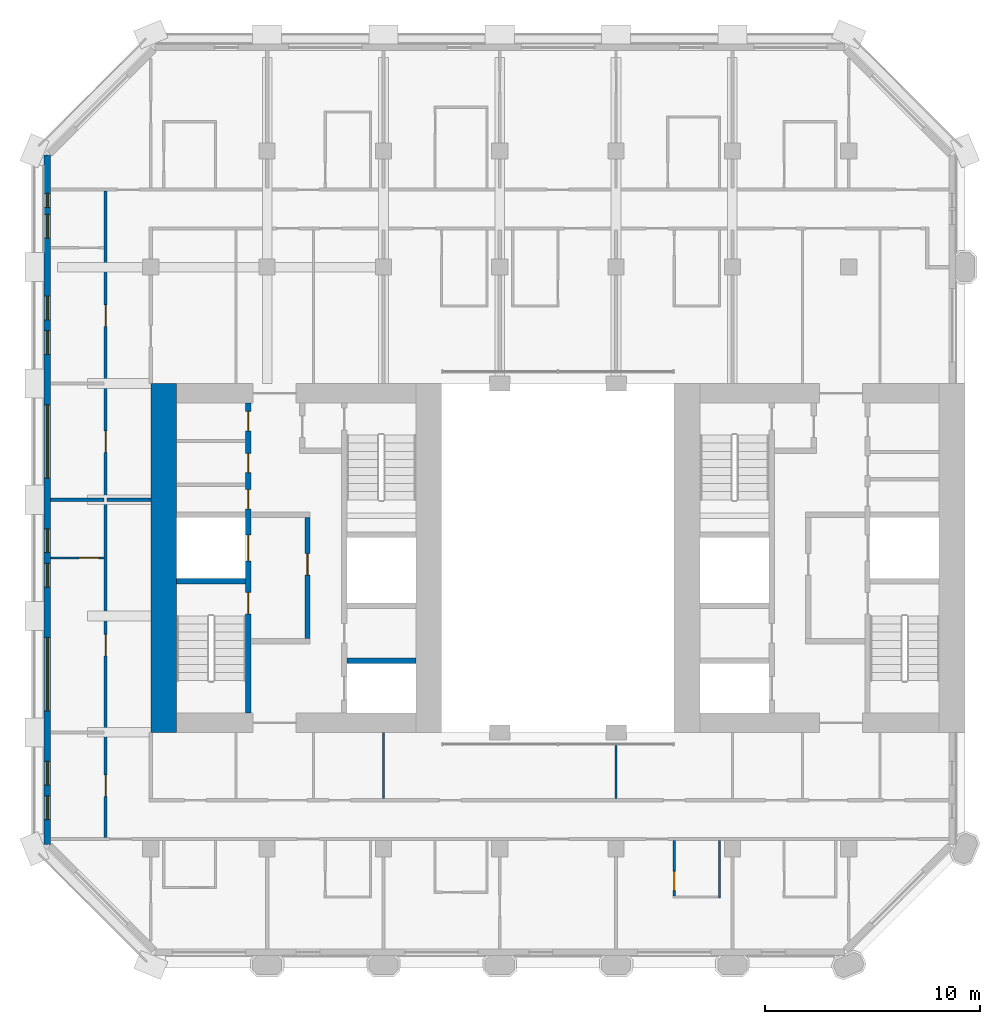
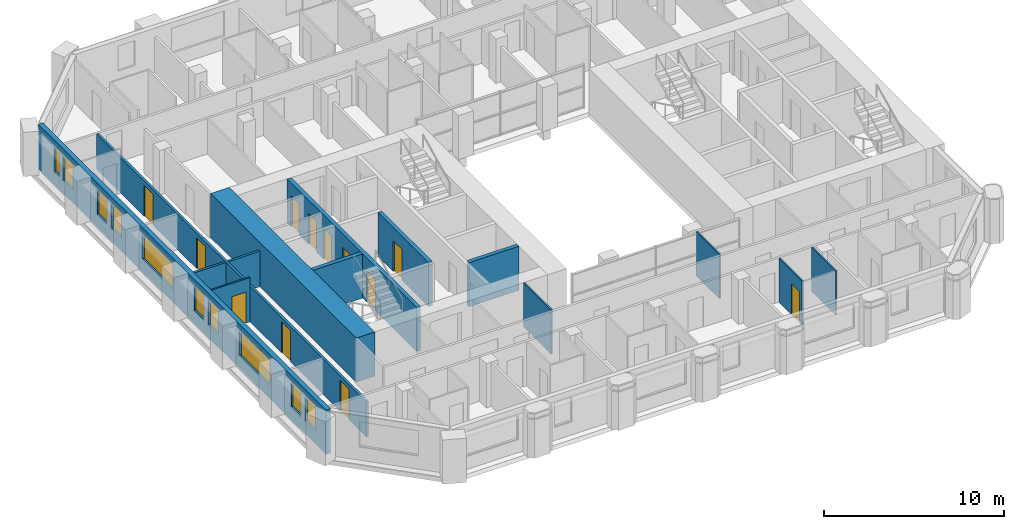
# One storey, part 7 of 13: 14 walls, 12 doors, 10 windows, 22 openings.
"""IFC4 building model written with IfcOpenShell, lengths in metres."""

from ifc_helpers import new_model, si_unit, direction, frame, frame_2d, origin, place, context, subcontext, project, spatial, rectangle, extrude, material, layer, layer_set, type_object, element, fill, save


model = new_model("IFC4")

# Units and contexts
model_context = context("Model", 3, precision=1e-05, world=origin(), true_north=direction((0.0, 1.0)))
body_context = subcontext(model_context, "Body", "Model", "MODEL_VIEW")
ifc_project = project(units=[si_unit("LENGTHUNIT", "METRE"), si_unit("AREAUNIT", "SQUARE_METRE"), si_unit("VOLUMEUNIT", "CUBIC_METRE"), si_unit("PLANEANGLEUNIT", "RADIAN"), si_unit("MASSUNIT", "GRAM", prefix="KILO")], contexts=[model_context])

# Site, building, storey
site_placement = place(None, origin())
site = spatial("IfcSite", under=ifc_project, at=site_placement, CompositionType="ELEMENT")
building_placement = place(site_placement, origin())
building = spatial("IfcBuilding", under=site, at=building_placement, Name="Tabaq Tower and Sports Hall", CompositionType="ELEMENT")
storey_placement = place(building_placement, frame((0.0, 0.0, 220.300048828125)))
storey = spatial("IfcBuildingStorey", under=building, at=storey_placement, Name="L55", CompositionType="ELEMENT", Elevation=220.300048828125)

# Walls
ifc_material_1 = material(Name="Concrete C50/60", Category="concrete")
ifc_layer_1 = layer(ifc_material_1, 1.199951171875)
ifc_layer_set_1 = layer_set([ifc_layer_1], Name="Core wall 1200 Concrete C50/60")
wall_type_1 = type_object("IfcWallType", Name="Core wall 1200 Concrete C50/60", PredefinedType="SOLIDWALL", material=ifc_layer_set_1)
wall_1_placement = place(storey_placement, frame((6.0, 16.199951171875, 0.0), z_axis=(0.0, 0.0, 1.0), x_axis=(0.0, 1.0, 0.0)))
element("IfcWall", 1, at=wall_1_placement, inside=storey, type_object=wall_type_1, Name="Core wall W L55", PredefinedType="SOLIDWALL", context=body_context, shape_type="SweptSolid", body=[
    extrude(rectangle(XDim=16.199951171875, YDim=1.199951171875, at=frame_2d((8.10009765625, 0.0))), origin(), (0.0, 0.0, 1.0), 3.0),
])
ifc_material_2 = material(Name="Gypsum board on steel studs", Category="steel")
ifc_layer_2 = layer(ifc_material_2, 0.10009765625)
ifc_layer_set_2 = layer_set([ifc_layer_2], Name="Partition 100 Gypsum board")
wall_type_2 = type_object("IfcWallType", Name="Partition 100 Gypsum board", PredefinedType="PARTITIONING", material=ifc_layer_set_2)
wall_2_placement = place(storey_placement, frame((31.800048828125, 11.175048828125, 0.0), z_axis=(0.0, 0.0, 1.0), x_axis=(0.0, -1.0, 0.0)))
element("IfcWall", 2, at=wall_2_placement, inside=storey, type_object=wall_type_2, Name="Partition wall L55", PredefinedType="PARTITIONING", context=body_context, shape_type="SweptSolid", body=[
    extrude(rectangle(XDim=2.675048828125, YDim=0.10009765625, at=frame_2d((1.33740234375, 0.0))), origin(), (0.0, 0.0, 1.0), 3.0),
])

# Wall, opening, door
wall_3_placement = place(storey_placement, frame((29.699951171875, 8.60009765625, 0.0), z_axis=(0.0, 0.0, 1.0), x_axis=(0.0, 1.0, 0.0)))
wall_3 = element("IfcWall", 3, at=wall_3_placement, inside=storey, type_object=wall_type_2, Name="Partition wall L55", PredefinedType="PARTITIONING", context=body_context, shape_type="SweptSolid", body=[
    extrude(rectangle(XDim=2.574951171875, YDim=0.10009765625, at=frame_2d((1.28759765625, 0.0))), origin(), (0.0, 0.0, 1.0), 3.0),
])
opening_1_placement = place(wall_3_placement, frame((0.25, 0.0, 0.0)))
opening_1 = element("IfcOpeningElement", 4, at=opening_1_placement, cuts=wall_3, Name="Opening L55-017", PredefinedType="OPENING", context=body_context, shape_type="SweptSolid", body=[
    extrude(rectangle(XDim=0.89990234375, YDim=2.10009765625, at=frame_2d((0.449951171875, 1.050048828125))), frame((0.0, 0.050048828125, 0.0), z_axis=(0.0, -1.0, 0.0), x_axis=(1.0, 0.0, 0.0)), (0.0, 0.0, 1.0), 0.10009765625),
])
ifc_material_3 = material(Name="Timber leaf in steel frame", Category="steel")
door_type_1 = type_object("IfcDoorType", Name="Internal door 900 left hand", OperationType="SINGLE_SWING_LEFT", PredefinedType="DOOR", material=ifc_material_3)
door_1_placement = place(opening_1_placement, origin())
door_1 = element("IfcDoor", 5, at=door_1_placement, inside=storey, type_object=door_type_1, Name="Internal door L55-017", OperationType="SINGLE_SWING_LEFT", OverallHeight=2.10009765625, OverallWidth=0.89990234375, PredefinedType="DOOR", context=body_context, shape_type="SweptSolid", body=[
    extrude(rectangle(XDim=0.89990234375, YDim=2.10009765625, at=frame_2d((0.449951171875, 1.050048828125))), frame((0.0, 0.02490234375, 0.0), z_axis=(0.0, -1.0, 0.0), x_axis=(1.0, 0.0, 0.0)), (0.0, 0.0, 1.0), 0.050048828125),
])
fill(opening_1, door_1)

# Walls
wall_4_placement = place(storey_placement, frame((27.0, 15.705078125, 0.0), z_axis=(0.0, 0.0, 1.0), x_axis=(0.0, -1.0, 0.0)))
element("IfcWall", 6, at=wall_4_placement, inside=storey, type_object=wall_type_2, Name="Partition wall L55", PredefinedType="PARTITIONING", context=body_context, shape_type="SweptSolid", body=[
    extrude(rectangle(XDim=2.580078125, YDim=0.10009765625, at=frame_2d((1.2900390625, 0.0))), origin(), (0.0, 0.0, 1.0), 3.0),
])
wall_5_placement = place(storey_placement, frame((16.199951171875, 16.199951171875, 0.0), z_axis=(0.0, 0.0, 1.0), x_axis=(0.0, -1.0, 0.0)))
element("IfcWall", 7, at=wall_5_placement, inside=storey, type_object=wall_type_2, Name="Partition wall L55", PredefinedType="PARTITIONING", context=body_context, shape_type="SweptSolid", body=[
    extrude(rectangle(XDim=3.074951171875, YDim=0.10009765625, at=frame_2d((1.53759765625, 0.0))), origin(), (0.0, 0.0, 1.0), 3.0),
])

# Wall, opening, door
wall_6_placement = place(storey_placement, frame((3.22509765625, 24.300048828125, 0.0), z_axis=(0.0, 0.0, 1.0), x_axis=(-1.0, 0.0, 0.0)))
wall_6 = element("IfcWall", 8, at=wall_6_placement, inside=storey, type_object=wall_type_2, Name="Partition wall L55", PredefinedType="PARTITIONING", context=body_context, shape_type="SweptSolid", body=[
    extrude(rectangle(XDim=2.47412109375, YDim=0.10009765625, at=frame_2d((1.237060546875, 0.0))), origin(), (0.0, 0.0, 1.0), 3.0),
])
opening_2_placement = place(wall_6_placement, frame((0.25, 0.0, 0.0)))
opening_2 = element("IfcOpeningElement", 9, at=opening_2_placement, cuts=wall_6, Name="Opening L55-023", PredefinedType="OPENING", context=body_context, shape_type="SweptSolid", body=[
    extrude(rectangle(XDim=0.89990234375, YDim=2.10009765625, at=frame_2d((0.449951171875, 1.050048828125))), frame((0.0, 0.050048828125, 0.0), z_axis=(0.0, -1.0, 0.0), x_axis=(1.0, 0.0, 0.0)), (0.0, 0.0, 1.0), 0.10009765625),
])
ifc_material_4 = material(Name="Timber leaf in steel frame", Category="steel")
door_type_2 = type_object("IfcDoorType", Name="Internal door 900 right hand", OperationType="SINGLE_SWING_RIGHT", PredefinedType="DOOR", material=ifc_material_4)
door_2_placement = place(opening_2_placement, origin())
door_2 = element("IfcDoor", 10, at=door_2_placement, inside=storey, type_object=door_type_2, Name="Internal door L55-023", OperationType="SINGLE_SWING_RIGHT", OverallHeight=2.10009765625, OverallWidth=0.89990234375, PredefinedType="DOOR", context=body_context, shape_type="SweptSolid", body=[
    extrude(rectangle(XDim=0.89990234375, YDim=2.10009765625, at=frame_2d((0.449951171875, 1.050048828125))), frame((0.0, 0.02490234375, 0.0), z_axis=(0.0, -1.0, 0.0), x_axis=(1.0, 0.0, 0.0)), (0.0, 0.0, 1.0), 0.050048828125),
])
fill(opening_2, door_2)

# Walls
ifc_material_5 = material(Name="Blockwork", Category="masonry")
ifc_layer_3 = layer(ifc_material_5, 0.14990234375)
ifc_layer_set_3 = layer_set([ifc_layer_3], Name="Separating wall 150 Blockwork")
wall_type_3 = type_object("IfcWallType", Name="Separating wall 150 Blockwork", PredefinedType="PARTITIONING", material=ifc_layer_set_3)
wall_7_placement = place(storey_placement, frame((0.7509765625, 27.0, 0.0), z_axis=(0.0, 0.0, 1.0), x_axis=(1.0, 0.0, 0.0)))
element("IfcWall", 11, at=wall_7_placement, inside=storey, type_object=wall_type_3, Name="Separating wall L55", PredefinedType="PARTITIONING", context=body_context, shape_type="SweptSolid", body=[
    extrude(rectangle(XDim=2.47412109375, YDim=0.14990234375, at=frame_2d((1.237060546875, 0.0))), origin(), (0.0, 0.0, 1.0), 2.39990234375),
])
wall_8_placement = place(storey_placement, frame((3.375, 27.0, 0.0), z_axis=(0.0, 0.0, 1.0), x_axis=(1.0, 0.0, 0.0)))
element("IfcWall", 12, at=wall_8_placement, inside=storey, type_object=wall_type_3, Name="Separating wall L55", PredefinedType="PARTITIONING", context=body_context, shape_type="SweptSolid", body=[
    extrude(rectangle(XDim=2.02490234375, YDim=0.14990234375, at=frame_2d((1.012451171875, 0.0))), origin(), (0.0, 0.0, 1.0), 2.39990234375),
])

# Wall, openings, doors
wall_9_placement = place(storey_placement, frame((3.300048828125, 11.324951171875, 0.0), z_axis=(0.0, 0.0, 1.0), x_axis=(0.0, 1.0, 0.0)))
wall_9 = element("IfcWall", 13, at=wall_9_placement, inside=storey, type_object=wall_type_3, Name="Separating wall L55", PredefinedType="PARTITIONING", context=body_context, shape_type="SweptSolid", body=[
    extrude(rectangle(XDim=30.0, YDim=0.14990234375, at=frame_2d((15.0, 0.0))), origin(), (0.0, 0.0, 1.0), 2.39990234375),
])
opening_3_placement = place(wall_9_placement, frame((17.875, 0.0, 0.0)))
opening_3 = element("IfcOpeningElement", 14, at=opening_3_placement, cuts=wall_9, Name="Opening L55-010", PredefinedType="OPENING", context=body_context, shape_type="SweptSolid", body=[
    extrude(rectangle(XDim=1.0, YDim=2.10009765625, at=frame_2d((0.5, 1.050048828125))), frame((0.0, 0.074951171875, 0.0), z_axis=(0.0, -1.0, 0.0), x_axis=(1.0, 0.0, 0.0)), (0.0, 0.0, 1.0), 0.14990234375),
])
opening_4_placement = place(wall_9_placement, frame((1.89990234375, 0.0, 0.0)))
opening_4 = element("IfcOpeningElement", 15, at=opening_4_placement, cuts=wall_9, Name="Opening L55-015", PredefinedType="OPENING", context=body_context, shape_type="SweptSolid", body=[
    extrude(rectangle(XDim=1.0, YDim=2.10009765625, at=frame_2d((0.5, 1.050048828125))), frame((0.0, 0.074951171875, 0.0), z_axis=(0.0, -1.0, 0.0), x_axis=(1.0, 0.0, 0.0)), (0.0, 0.0, 1.0), 0.14990234375),
])
opening_5_placement = place(wall_9_placement, frame((23.72509765625, 0.0, 0.0)))
opening_5 = element("IfcOpeningElement", 16, at=opening_5_placement, cuts=wall_9, Name="Opening L55-031", PredefinedType="OPENING", context=body_context, shape_type="SweptSolid", body=[
    extrude(rectangle(XDim=1.0, YDim=2.10009765625, at=frame_2d((0.5, 1.050048828125))), frame((0.0, 0.074951171875, 0.0), z_axis=(0.0, -1.0, 0.0), x_axis=(1.0, 0.0, 0.0)), (0.0, 0.0, 1.0), 0.14990234375),
])
opening_6_placement = place(wall_9_placement, frame((8.425048828125, 0.0, 0.0)))
opening_6 = element("IfcOpeningElement", 17, at=opening_6_placement, cuts=wall_9, Name="Opening L55-049", PredefinedType="OPENING", context=body_context, shape_type="SweptSolid", body=[
    extrude(rectangle(XDim=1.0, YDim=2.10009765625, at=frame_2d((0.5, 1.050048828125))), frame((0.0, 0.074951171875, 0.0), z_axis=(0.0, -1.0, 0.0), x_axis=(1.0, 0.0, 0.0)), (0.0, 0.0, 1.0), 0.14990234375),
])
ifc_material_6 = material(Name="Steel fire door", Category="steel")
door_type_3 = type_object("IfcDoorType", Name="Entrance door 1000 right hand", OperationType="SINGLE_SWING_RIGHT", PredefinedType="DOOR", material=ifc_material_6)
door_3_placement = place(opening_5_placement, origin())
door_3 = element("IfcDoor", 18, at=door_3_placement, inside=storey, type_object=door_type_3, Name="Entrance door L55-031", OperationType="SINGLE_SWING_RIGHT", OverallHeight=2.10009765625, OverallWidth=1.0, PredefinedType="DOOR", context=body_context, shape_type="SweptSolid", body=[
    extrude(rectangle(XDim=1.0, YDim=2.10009765625, at=frame_2d((0.5, 1.050048828125))), frame((0.0, 0.02490234375, 0.0), z_axis=(0.0, -1.0, 0.0), x_axis=(1.0, 0.0, 0.0)), (0.0, 0.0, 1.0), 0.050048828125),
])
fill(opening_5, door_3)
door_4_placement = place(opening_6_placement, origin())
door_4 = element("IfcDoor", 19, at=door_4_placement, inside=storey, type_object=door_type_3, Name="Entrance door L55-049", OperationType="SINGLE_SWING_RIGHT", OverallHeight=2.10009765625, OverallWidth=1.0, PredefinedType="DOOR", context=body_context, shape_type="SweptSolid", body=[
    extrude(rectangle(XDim=1.0, YDim=2.10009765625, at=frame_2d((0.5, 1.050048828125))), frame((0.0, 0.02490234375, 0.0), z_axis=(0.0, -1.0, 0.0), x_axis=(1.0, 0.0, 0.0)), (0.0, 0.0, 1.0), 0.050048828125),
])
fill(opening_6, door_4)
ifc_material_7 = material(Name="Timber leaf in steel frame", Category="steel")
door_type_4 = type_object("IfcDoorType", Name="Internal door 1000 left hand", OperationType="SINGLE_SWING_LEFT", PredefinedType="DOOR", material=ifc_material_7)
door_5_placement = place(opening_4_placement, origin())
door_5 = element("IfcDoor", 20, at=door_5_placement, inside=storey, type_object=door_type_4, Name="Internal door L55-015", OperationType="SINGLE_SWING_LEFT", OverallHeight=2.10009765625, OverallWidth=1.0, PredefinedType="DOOR", context=body_context, shape_type="SweptSolid", body=[
    extrude(rectangle(XDim=1.0, YDim=2.10009765625, at=frame_2d((0.5, 1.050048828125))), frame((0.0, 0.02490234375, 0.0), z_axis=(0.0, -1.0, 0.0), x_axis=(1.0, 0.0, 0.0)), (0.0, 0.0, 1.0), 0.050048828125),
])
fill(opening_4, door_5)
ifc_material_8 = material(Name="Timber leaf in steel frame", Category="steel")
door_type_5 = type_object("IfcDoorType", Name="Internal door 1000 right hand", OperationType="SINGLE_SWING_RIGHT", PredefinedType="DOOR", material=ifc_material_8)
door_6_placement = place(opening_3_placement, origin())
door_6 = element("IfcDoor", 21, at=door_6_placement, inside=storey, type_object=door_type_5, Name="Internal door L55-010", OperationType="SINGLE_SWING_RIGHT", OverallHeight=2.10009765625, OverallWidth=1.0, PredefinedType="DOOR", context=body_context, shape_type="SweptSolid", body=[
    extrude(rectangle(XDim=1.0, YDim=2.10009765625, at=frame_2d((0.5, 1.050048828125))), frame((0.0, 0.02490234375, 0.0), z_axis=(0.0, -1.0, 0.0), x_axis=(1.0, 0.0, 0.0)), (0.0, 0.0, 1.0), 0.050048828125),
])
fill(opening_3, door_6)

ifc_material_9 = material(Name="Concrete C40/50", Category="concrete")
ifc_layer_4 = layer(ifc_material_9, 0.25)
ifc_layer_set_4 = layer_set([ifc_layer_4], Name="Shaft and stair wall 250 Concrete C40/50")
wall_type_4 = type_object("IfcWallType", Name="Shaft and stair wall 250 Concrete C40/50", PredefinedType="SOLIDWALL", material=ifc_layer_set_4)
wall_10_placement = place(storey_placement, frame((9.925048828125, 17.10009765625, 0.0), z_axis=(0.0, 0.0, 1.0), x_axis=(0.0, 1.0, 0.0)))
wall_10 = element("IfcWall", 22, at=wall_10_placement, inside=storey, type_object=wall_type_4, Name="Shaft wall W L55", PredefinedType="SOLIDWALL", context=body_context, shape_type="SweptSolid", body=[
    extrude(rectangle(XDim=14.39990234375, YDim=0.25, at=frame_2d((7.199951171875, 0.0))), origin(), (0.0, 0.0, 1.0), 3.0),
])
opening_7_placement = place(wall_10_placement, frame((4.60009765625, 0.0, 0.0)))
opening_7 = element("IfcOpeningElement", 23, at=opening_7_placement, cuts=wall_10, Name="Opening SD-WL55-03", PredefinedType="OPENING", context=body_context, shape_type="SweptSolid", body=[
    extrude(rectangle(XDim=1.0, YDim=2.10009765625, at=frame_2d((0.5, 1.050048828125))), frame((0.0, 0.125, 0.0), z_axis=(0.0, -1.0, 0.0), x_axis=(1.0, 0.0, 0.0)), (0.0, 0.0, 1.0), 0.25),
])
opening_8_placement = place(wall_10_placement, frame((7.0625, 0.0, 0.0)))
opening_8 = element("IfcOpeningElement", 24, at=opening_8_placement, cuts=wall_10, Name="Opening LD-FF1-L55", PredefinedType="OPENING", context=body_context, shape_type="SweptSolid", body=[
    extrude(rectangle(XDim=1.199951171875, YDim=2.10009765625, at=frame_2d((0.60009765625, 1.050048828125))), frame((0.0, 0.125, 0.0), z_axis=(0.0, -1.0, 0.0), x_axis=(1.0, 0.0, 0.0)), (0.0, 0.0, 1.0), 0.25),
])
opening_9_placement = place(wall_10_placement, frame((9.471923828125, 0.0, 0.0)))
opening_9 = element("IfcOpeningElement", 25, at=opening_9_placement, cuts=wall_10, Name="Opening RD-WL55-09", PredefinedType="OPENING", context=body_context, shape_type="SweptSolid", body=[
    extrude(rectangle(XDim=0.89990234375, YDim=2.10009765625, at=frame_2d((0.449951171875, 1.050048828125))), frame((0.0, 0.125, 0.0), z_axis=(0.0, -1.0, 0.0), x_axis=(1.0, 0.0, 0.0)), (0.0, 0.0, 1.0), 0.25),
])
opening_10_placement = place(wall_10_placement, frame((11.158935546875, 0.0, 0.0)))
opening_10 = element("IfcOpeningElement", 26, at=opening_10_placement, cuts=wall_10, Name="Opening RD-WL55-10", PredefinedType="OPENING", context=body_context, shape_type="SweptSolid", body=[
    extrude(rectangle(XDim=0.89990234375, YDim=2.10009765625, at=frame_2d((0.449951171875, 1.050048828125))), frame((0.0, 0.125, 0.0), z_axis=(0.0, -1.0, 0.0), x_axis=(1.0, 0.0, 0.0)), (0.0, 0.0, 1.0), 0.25),
])
opening_11_placement = place(wall_10_placement, frame((13.099609375, 0.0, 0.0)))
opening_11 = element("IfcOpeningElement", 27, at=opening_11_placement, cuts=wall_10, Name="Opening RD-WL55-11", PredefinedType="OPENING", context=body_context, shape_type="SweptSolid", body=[
    extrude(rectangle(XDim=0.89990234375, YDim=2.10009765625, at=frame_2d((0.449951171875, 1.050048828125))), frame((0.0, 0.125, 0.0), z_axis=(0.0, -1.0, 0.0), x_axis=(1.0, 0.0, 0.0)), (0.0, 0.0, 1.0), 0.25),
])
ifc_material_10 = material(Name="Steel fire door", Category="steel")
door_type_6 = type_object("IfcDoorType", Name="Core room door 900", OperationType="SINGLE_SWING_LEFT", PredefinedType="DOOR", material=ifc_material_10)
door_7_placement = place(opening_9_placement, origin())
door_7 = element("IfcDoor", 28, at=door_7_placement, inside=storey, type_object=door_type_6, Name="Door Electrical Riser Room W L55", OperationType="SINGLE_SWING_LEFT", OverallHeight=2.10009765625, OverallWidth=0.89990234375, PredefinedType="DOOR", context=body_context, shape_type="SweptSolid", body=[
    extrude(rectangle(XDim=0.89990234375, YDim=2.10009765625, at=frame_2d((0.449951171875, 1.050048828125))), frame((0.0, 0.02490234375, 0.0), z_axis=(0.0, -1.0, 0.0), x_axis=(1.0, 0.0, 0.0)), (0.0, 0.0, 1.0), 0.050048828125),
])
fill(opening_9, door_7)
door_8_placement = place(opening_10_placement, origin())
door_8 = element("IfcDoor", 29, at=door_8_placement, inside=storey, type_object=door_type_6, Name="Door Unisex WC W L55", OperationType="SINGLE_SWING_LEFT", OverallHeight=2.10009765625, OverallWidth=0.89990234375, PredefinedType="DOOR", context=body_context, shape_type="SweptSolid", body=[
    extrude(rectangle(XDim=0.89990234375, YDim=2.10009765625, at=frame_2d((0.449951171875, 1.050048828125))), frame((0.0, 0.02490234375, 0.0), z_axis=(0.0, -1.0, 0.0), x_axis=(1.0, 0.0, 0.0)), (0.0, 0.0, 1.0), 0.050048828125),
])
fill(opening_10, door_8)
door_9_placement = place(opening_11_placement, origin())
door_9 = element("IfcDoor", 30, at=door_9_placement, inside=storey, type_object=door_type_6, Name="Door Accessible WC W L55", OperationType="SINGLE_SWING_LEFT", OverallHeight=2.10009765625, OverallWidth=0.89990234375, PredefinedType="DOOR", context=body_context, shape_type="SweptSolid", body=[
    extrude(rectangle(XDim=0.89990234375, YDim=2.10009765625, at=frame_2d((0.449951171875, 1.050048828125))), frame((0.0, 0.02490234375, 0.0), z_axis=(0.0, -1.0, 0.0), x_axis=(1.0, 0.0, 0.0)), (0.0, 0.0, 1.0), 0.050048828125),
])
fill(opening_11, door_9)
ifc_material_11 = material(Name="Stainless steel", Category="steel")
door_type_7 = type_object("IfcDoorType", Name="Lift landing door 1200", OperationType="DOUBLE_DOOR_SLIDING", PredefinedType="DOOR", material=ifc_material_11)
door_10_placement = place(opening_8_placement, origin())
door_10 = element("IfcDoor", 31, at=door_10_placement, inside=storey, type_object=door_type_7, Name="Lift landing door FF1 W L55", OperationType="DOUBLE_DOOR_SLIDING", OverallHeight=2.10009765625, OverallWidth=1.199951171875, PredefinedType="DOOR", context=body_context, shape_type="SweptSolid", body=[
    extrude(rectangle(XDim=1.199951171875, YDim=2.10009765625, at=frame_2d((0.60009765625, 1.050048828125))), frame((0.0, 0.02490234375, 0.0), z_axis=(0.0, -1.0, 0.0), x_axis=(1.0, 0.0, 0.0)), (0.0, 0.0, 1.0), 0.050048828125),
])
fill(opening_8, door_10)
ifc_material_12 = material(Name="Steel fire door", Category="steel")
door_type_8 = type_object("IfcDoorType", Name="Stair door 1000", OperationType="SINGLE_SWING_LEFT", PredefinedType="DOOR", material=ifc_material_12)
door_11_placement = place(opening_7_placement, origin())
door_11 = element("IfcDoor", 32, at=door_11_placement, inside=storey, type_object=door_type_8, Name="Stair door ST1 W L55", OperationType="SINGLE_SWING_LEFT", OverallHeight=2.10009765625, OverallWidth=1.0, PredefinedType="DOOR", context=body_context, shape_type="SweptSolid", body=[
    extrude(rectangle(XDim=1.0, YDim=2.10009765625, at=frame_2d((0.5, 1.050048828125))), frame((0.0, 0.02490234375, 0.0), z_axis=(0.0, -1.0, 0.0), x_axis=(1.0, 0.0, 0.0)), (0.0, 0.0, 1.0), 0.050048828125),
])
fill(opening_7, door_11)

# Wall
wall_11_placement = place(storey_placement, frame((6.60009765625, 23.22509765625, 0.0), z_axis=(0.0, 0.0, 1.0), x_axis=(1.0, 0.0, 0.0)))
element("IfcWall", 33, at=wall_11_placement, inside=storey, type_object=wall_type_4, Name="Stair enclosure wall W L55", PredefinedType="SOLIDWALL", context=body_context, shape_type="SweptSolid", body=[
    extrude(rectangle(XDim=3.199951171875, YDim=0.25, at=frame_2d((1.60009765625, 0.0))), origin(), (0.0, 0.0, 1.0), 3.0),
])

# Wall, opening, door
wall_12_placement = place(storey_placement, frame((12.675048828125, 20.550048828125, 0.0), z_axis=(0.0, 0.0, 1.0), x_axis=(0.0, 1.0, 0.0)))
wall_12 = element("IfcWall", 34, at=wall_12_placement, inside=storey, type_object=wall_type_4, Name="Fire-fighting lobby wall W L55", PredefinedType="SOLIDWALL", context=body_context, shape_type="SweptSolid", body=[
    extrude(rectangle(XDim=5.625, YDim=0.25, at=frame_2d((2.8125, 0.0))), origin(), (0.0, 0.0, 1.0), 3.0),
])
opening_12_placement = place(wall_12_placement, frame((2.949951171875, 0.0, 0.0)))
opening_12 = element("IfcOpeningElement", 35, at=opening_12_placement, cuts=wall_12, Name="Opening FD-WL55-04", PredefinedType="OPENING", context=body_context, shape_type="SweptSolid", body=[
    extrude(rectangle(XDim=1.0, YDim=2.10009765625, at=frame_2d((0.5, 1.050048828125))), frame((0.0, 0.125, 0.0), z_axis=(0.0, -1.0, 0.0), x_axis=(1.0, 0.0, 0.0)), (0.0, 0.0, 1.0), 0.25),
])
ifc_material_13 = material(Name="Steel fire door", Category="steel")
door_type_9 = type_object("IfcDoorType", Name="Fire-fighting lobby door 1000", OperationType="SINGLE_SWING_LEFT", PredefinedType="DOOR", material=ifc_material_13)
door_12_placement = place(opening_12_placement, origin())
door_12 = element("IfcDoor", 36, at=door_12_placement, inside=storey, type_object=door_type_9, Name="Fire-fighting lobby door W L55", OperationType="SINGLE_SWING_LEFT", OverallHeight=2.10009765625, OverallWidth=1.0, PredefinedType="DOOR", context=body_context, shape_type="SweptSolid", body=[
    extrude(rectangle(XDim=1.0, YDim=2.10009765625, at=frame_2d((0.5, 1.050048828125))), frame((0.0, 0.02490234375, 0.0), z_axis=(0.0, -1.0, 0.0), x_axis=(1.0, 0.0, 0.0)), (0.0, 0.0, 1.0), 0.050048828125),
])
fill(opening_12, door_12)

# Wall
wall_13_placement = place(storey_placement, frame((14.5, 19.52490234375, 0.0), z_axis=(0.0, 0.0, 1.0), x_axis=(1.0, 0.0, 0.0)))
element("IfcWall", 37, at=wall_13_placement, inside=storey, type_object=wall_type_4, Name="Shaft wall W L55", PredefinedType="SOLIDWALL", context=body_context, shape_type="SweptSolid", body=[
    extrude(rectangle(XDim=3.199951171875, YDim=0.25, at=frame_2d((1.60009765625, 0.0))), origin(), (0.0, 0.0, 1.0), 3.0),
])

# Wall, openings, windows
ifc_material_14 = material(Name="White precast concrete C60/75", Category="concrete")
ifc_layer_5 = layer(ifc_material_14, 0.300048828125)
ifc_layer_set_5 = layer_set([ifc_layer_5], Name="White precast concrete C60/75 external wall 300")
wall_type_5 = type_object("IfcWallType", Name="White precast concrete C60/75 external wall 300", PredefinedType="SOLIDWALL", material=ifc_layer_set_5)
wall_14_placement = place(storey_placement, frame((0.60009765625, 43.013671875, 0.0), z_axis=(0.0, 0.0, 1.0), x_axis=(0.0, -1.0, 0.0)))
wall_14 = element("IfcWall", 38, at=wall_14_placement, inside=storey, type_object=wall_type_5, Name="External Wall L55 W", PredefinedType="SOLIDWALL", context=body_context, shape_type="SweptSolid", body=[
    extrude(rectangle(XDim=32.02734375, YDim=0.300048828125, at=frame_2d((16.013671875, 0.0))), origin(), (0.0, 0.0, 1.0), 3.0),
])
opening_13_placement = place(wall_14_placement, frame((1.78857421875, 0.0, 0.89990234375)))
opening_13 = element("IfcOpeningElement", 39, at=opening_13_placement, cuts=wall_14, Name="Opening W1C", PredefinedType="OPENING", context=body_context, shape_type="SweptSolid", body=[
    extrude(rectangle(XDim=0.64990234375, YDim=1.699951171875, at=frame_2d((0.324951171875, 0.85009765625))), frame((0.0, 0.16015625, 0.0), z_axis=(0.0, -1.0, 0.0), x_axis=(1.0, 0.0, 0.0)), (0.0, 0.0, 1.0), 0.320068359375),
])
opening_14_placement = place(wall_14_placement, frame((2.763671875, 0.0, 0.89990234375)))
opening_14 = element("IfcOpeningElement", 40, at=opening_14_placement, cuts=wall_14, Name="Opening W1B", PredefinedType="OPENING", context=body_context, shape_type="SweptSolid", body=[
    extrude(rectangle(XDim=1.10009765625, YDim=1.699951171875, at=frame_2d((0.550048828125, 0.85009765625))), frame((0.0, 0.16015625, 0.0), z_axis=(0.0, -1.0, 0.0), x_axis=(1.0, 0.0, 0.0)), (0.0, 0.0, 1.0), 0.320068359375),
])
opening_15_placement = place(wall_14_placement, frame((6.563720703125, 0.0, 0.89990234375)))
opening_15 = element("IfcOpeningElement", 41, at=opening_15_placement, cuts=wall_14, Name="Opening W1B", PredefinedType="OPENING", context=body_context, shape_type="SweptSolid", body=[
    extrude(rectangle(XDim=1.10009765625, YDim=1.699951171875, at=frame_2d((0.550048828125, 0.85009765625))), frame((0.0, 0.16015625, 0.0), z_axis=(0.0, -1.0, 0.0), x_axis=(1.0, 0.0, 0.0)), (0.0, 0.0, 1.0), 0.320068359375),
])
opening_16_placement = place(wall_14_placement, frame((8.16357421875, 0.0, 0.89990234375)))
opening_16 = element("IfcOpeningElement", 42, at=opening_16_placement, cuts=wall_14, Name="Opening W1B", PredefinedType="OPENING", context=body_context, shape_type="SweptSolid", body=[
    extrude(rectangle(XDim=1.10009765625, YDim=1.699951171875, at=frame_2d((0.550048828125, 0.85009765625))), frame((0.0, 0.16015625, 0.0), z_axis=(0.0, -1.0, 0.0), x_axis=(1.0, 0.0, 0.0)), (0.0, 0.0, 1.0), 0.320068359375),
])
opening_17_placement = place(wall_14_placement, frame((11.613525390625, 0.0, 0.89990234375)))
opening_17 = element("IfcOpeningElement", 43, at=opening_17_placement, cuts=wall_14, Name="Opening W1A", PredefinedType="OPENING", context=body_context, shape_type="SweptSolid", body=[
    extrude(rectangle(XDim=3.39990234375, YDim=1.699951171875, at=frame_2d((1.699951171875, 0.85009765625))), frame((0.0, 0.16015625, 0.0), z_axis=(0.0, -1.0, 0.0), x_axis=(1.0, 0.0, 0.0)), (0.0, 0.0, 1.0), 0.320068359375),
])
opening_18_placement = place(wall_14_placement, frame((17.363525390625, 0.0, 0.89990234375)))
opening_18 = element("IfcOpeningElement", 44, at=opening_18_placement, cuts=wall_14, Name="Opening W1B", PredefinedType="OPENING", context=body_context, shape_type="SweptSolid", body=[
    extrude(rectangle(XDim=1.10009765625, YDim=1.699951171875, at=frame_2d((0.550048828125, 0.85009765625))), frame((0.0, 0.16015625, 0.0), z_axis=(0.0, -1.0, 0.0), x_axis=(1.0, 0.0, 0.0)), (0.0, 0.0, 1.0), 0.320068359375),
])
opening_19_placement = place(wall_14_placement, frame((18.963623046875, 0.0, 0.89990234375)))
opening_19 = element("IfcOpeningElement", 45, at=opening_19_placement, cuts=wall_14, Name="Opening W1B", PredefinedType="OPENING", context=body_context, shape_type="SweptSolid", body=[
    extrude(rectangle(XDim=1.10009765625, YDim=1.699951171875, at=frame_2d((0.550048828125, 0.85009765625))), frame((0.0, 0.16015625, 0.0), z_axis=(0.0, -1.0, 0.0), x_axis=(1.0, 0.0, 0.0)), (0.0, 0.0, 1.0), 0.320068359375),
])
opening_20_placement = place(wall_14_placement, frame((22.41357421875, 0.0, 0.89990234375)))
opening_20 = element("IfcOpeningElement", 46, at=opening_20_placement, cuts=wall_14, Name="Opening W1A", PredefinedType="OPENING", context=body_context, shape_type="SweptSolid", body=[
    extrude(rectangle(XDim=3.39990234375, YDim=1.699951171875, at=frame_2d((1.699951171875, 0.85009765625))), frame((0.0, 0.16015625, 0.0), z_axis=(0.0, -1.0, 0.0), x_axis=(1.0, 0.0, 0.0)), (0.0, 0.0, 1.0), 0.320068359375),
])
opening_21_placement = place(wall_14_placement, frame((28.16357421875, 0.0, 0.89990234375)))
opening_21 = element("IfcOpeningElement", 47, at=opening_21_placement, cuts=wall_14, Name="Opening W1B", PredefinedType="OPENING", context=body_context, shape_type="SweptSolid", body=[
    extrude(rectangle(XDim=1.10009765625, YDim=1.699951171875, at=frame_2d((0.550048828125, 0.85009765625))), frame((0.0, 0.16015625, 0.0), z_axis=(0.0, -1.0, 0.0), x_axis=(1.0, 0.0, 0.0)), (0.0, 0.0, 1.0), 0.320068359375),
])
opening_22_placement = place(wall_14_placement, frame((29.763671875, 0.0, 0.89990234375)))
opening_22 = element("IfcOpeningElement", 48, at=opening_22_placement, cuts=wall_14, Name="Opening W1B", PredefinedType="OPENING", context=body_context, shape_type="SweptSolid", body=[
    extrude(rectangle(XDim=1.10009765625, YDim=1.699951171875, at=frame_2d((0.550048828125, 0.85009765625))), frame((0.0, 0.16015625, 0.0), z_axis=(0.0, -1.0, 0.0), x_axis=(1.0, 0.0, 0.0)), (0.0, 0.0, 1.0), 0.320068359375),
])
ifc_material_15 = material(Name="Aluminium framed clear glazing", Category="aluminium")
window_type_1 = type_object("IfcWindowType", Name="Window W1A", PartitioningType="SINGLE_PANEL", PredefinedType="WINDOW", material=ifc_material_15)
window_1_placement = place(opening_17_placement, origin())
window_1 = element("IfcWindow", 49, at=window_1_placement, inside=storey, type_object=window_type_1, Name="Window W1A L55", OverallHeight=1.699951171875, OverallWidth=3.39990234375, PartitioningType="SINGLE_PANEL", PredefinedType="WINDOW", context=body_context, shape_type="SweptSolid", body=[
    extrude(rectangle(XDim=3.39990234375, YDim=1.699951171875, at=frame_2d((1.699951171875, 0.85009765625))), frame((0.0, 0.030029296875, 0.0), z_axis=(0.0, -1.0, 0.0), x_axis=(1.0, 0.0, 0.0)), (0.0, 0.0, 1.0), 0.06005859375),
])
fill(opening_17, window_1)
window_2_placement = place(opening_20_placement, origin())
window_2 = element("IfcWindow", 50, at=window_2_placement, inside=storey, type_object=window_type_1, Name="Window W1A L55", OverallHeight=1.699951171875, OverallWidth=3.39990234375, PartitioningType="SINGLE_PANEL", PredefinedType="WINDOW", context=body_context, shape_type="SweptSolid", body=[
    extrude(rectangle(XDim=3.39990234375, YDim=1.699951171875, at=frame_2d((1.699951171875, 0.85009765625))), frame((0.0, 0.030029296875, 0.0), z_axis=(0.0, -1.0, 0.0), x_axis=(1.0, 0.0, 0.0)), (0.0, 0.0, 1.0), 0.06005859375),
])
fill(opening_20, window_2)
ifc_material_16 = material(Name="Aluminium framed clear glazing", Category="aluminium")
window_type_2 = type_object("IfcWindowType", Name="Window W1B", PartitioningType="SINGLE_PANEL", PredefinedType="WINDOW", material=ifc_material_16)
window_3_placement = place(opening_14_placement, origin())
window_3 = element("IfcWindow", 51, at=window_3_placement, inside=storey, type_object=window_type_2, Name="Window W1B L55", OverallHeight=1.699951171875, OverallWidth=1.10009765625, PartitioningType="SINGLE_PANEL", PredefinedType="WINDOW", context=body_context, shape_type="SweptSolid", body=[
    extrude(rectangle(XDim=1.10009765625, YDim=1.699951171875, at=frame_2d((0.550048828125, 0.85009765625))), frame((0.0, 0.030029296875, 0.0), z_axis=(0.0, -1.0, 0.0), x_axis=(1.0, 0.0, 0.0)), (0.0, 0.0, 1.0), 0.06005859375),
])
fill(opening_14, window_3)
window_4_placement = place(opening_15_placement, origin())
window_4 = element("IfcWindow", 52, at=window_4_placement, inside=storey, type_object=window_type_2, Name="Window W1B L55", OverallHeight=1.699951171875, OverallWidth=1.10009765625, PartitioningType="SINGLE_PANEL", PredefinedType="WINDOW", context=body_context, shape_type="SweptSolid", body=[
    extrude(rectangle(XDim=1.10009765625, YDim=1.699951171875, at=frame_2d((0.550048828125, 0.85009765625))), frame((0.0, 0.030029296875, 0.0), z_axis=(0.0, -1.0, 0.0), x_axis=(1.0, 0.0, 0.0)), (0.0, 0.0, 1.0), 0.06005859375),
])
fill(opening_15, window_4)
window_5_placement = place(opening_16_placement, origin())
window_5 = element("IfcWindow", 53, at=window_5_placement, inside=storey, type_object=window_type_2, Name="Window W1B L55", OverallHeight=1.699951171875, OverallWidth=1.10009765625, PartitioningType="SINGLE_PANEL", PredefinedType="WINDOW", context=body_context, shape_type="SweptSolid", body=[
    extrude(rectangle(XDim=1.10009765625, YDim=1.699951171875, at=frame_2d((0.550048828125, 0.85009765625))), frame((0.0, 0.030029296875, 0.0), z_axis=(0.0, -1.0, 0.0), x_axis=(1.0, 0.0, 0.0)), (0.0, 0.0, 1.0), 0.06005859375),
])
fill(opening_16, window_5)
window_6_placement = place(opening_18_placement, origin())
window_6 = element("IfcWindow", 54, at=window_6_placement, inside=storey, type_object=window_type_2, Name="Window W1B L55", OverallHeight=1.699951171875, OverallWidth=1.10009765625, PartitioningType="SINGLE_PANEL", PredefinedType="WINDOW", context=body_context, shape_type="SweptSolid", body=[
    extrude(rectangle(XDim=1.10009765625, YDim=1.699951171875, at=frame_2d((0.550048828125, 0.85009765625))), frame((0.0, 0.030029296875, 0.0), z_axis=(0.0, -1.0, 0.0), x_axis=(1.0, 0.0, 0.0)), (0.0, 0.0, 1.0), 0.06005859375),
])
fill(opening_18, window_6)
window_7_placement = place(opening_19_placement, origin())
window_7 = element("IfcWindow", 55, at=window_7_placement, inside=storey, type_object=window_type_2, Name="Window W1B L55", OverallHeight=1.699951171875, OverallWidth=1.10009765625, PartitioningType="SINGLE_PANEL", PredefinedType="WINDOW", context=body_context, shape_type="SweptSolid", body=[
    extrude(rectangle(XDim=1.10009765625, YDim=1.699951171875, at=frame_2d((0.550048828125, 0.85009765625))), frame((0.0, 0.030029296875, 0.0), z_axis=(0.0, -1.0, 0.0), x_axis=(1.0, 0.0, 0.0)), (0.0, 0.0, 1.0), 0.06005859375),
])
fill(opening_19, window_7)
window_8_placement = place(opening_21_placement, origin())
window_8 = element("IfcWindow", 56, at=window_8_placement, inside=storey, type_object=window_type_2, Name="Window W1B L55", OverallHeight=1.699951171875, OverallWidth=1.10009765625, PartitioningType="SINGLE_PANEL", PredefinedType="WINDOW", context=body_context, shape_type="SweptSolid", body=[
    extrude(rectangle(XDim=1.10009765625, YDim=1.699951171875, at=frame_2d((0.550048828125, 0.85009765625))), frame((0.0, 0.030029296875, 0.0), z_axis=(0.0, -1.0, 0.0), x_axis=(1.0, 0.0, 0.0)), (0.0, 0.0, 1.0), 0.06005859375),
])
fill(opening_21, window_8)
window_9_placement = place(opening_22_placement, origin())
window_9 = element("IfcWindow", 57, at=window_9_placement, inside=storey, type_object=window_type_2, Name="Window W1B L55", OverallHeight=1.699951171875, OverallWidth=1.10009765625, PartitioningType="SINGLE_PANEL", PredefinedType="WINDOW", context=body_context, shape_type="SweptSolid", body=[
    extrude(rectangle(XDim=1.10009765625, YDim=1.699951171875, at=frame_2d((0.550048828125, 0.85009765625))), frame((0.0, 0.030029296875, 0.0), z_axis=(0.0, -1.0, 0.0), x_axis=(1.0, 0.0, 0.0)), (0.0, 0.0, 1.0), 0.06005859375),
])
fill(opening_22, window_9)
ifc_material_17 = material(Name="Aluminium framed clear glazing", Category="aluminium")
window_type_3 = type_object("IfcWindowType", Name="Window W1C", PartitioningType="SINGLE_PANEL", PredefinedType="WINDOW", material=ifc_material_17)
window_10_placement = place(opening_13_placement, origin())
window_10 = element("IfcWindow", 58, at=window_10_placement, inside=storey, type_object=window_type_3, Name="Window W1C L55", OverallHeight=1.699951171875, OverallWidth=0.64990234375, PartitioningType="SINGLE_PANEL", PredefinedType="WINDOW", context=body_context, shape_type="SweptSolid", body=[
    extrude(rectangle(XDim=0.64990234375, YDim=1.699951171875, at=frame_2d((0.324951171875, 0.85009765625))), frame((0.0, 0.030029296875, 0.0), z_axis=(0.0, -1.0, 0.0), x_axis=(1.0, 0.0, 0.0)), (0.0, 0.0, 1.0), 0.06005859375),
])
fill(opening_13, window_10)

save(model, "model.ifc")
